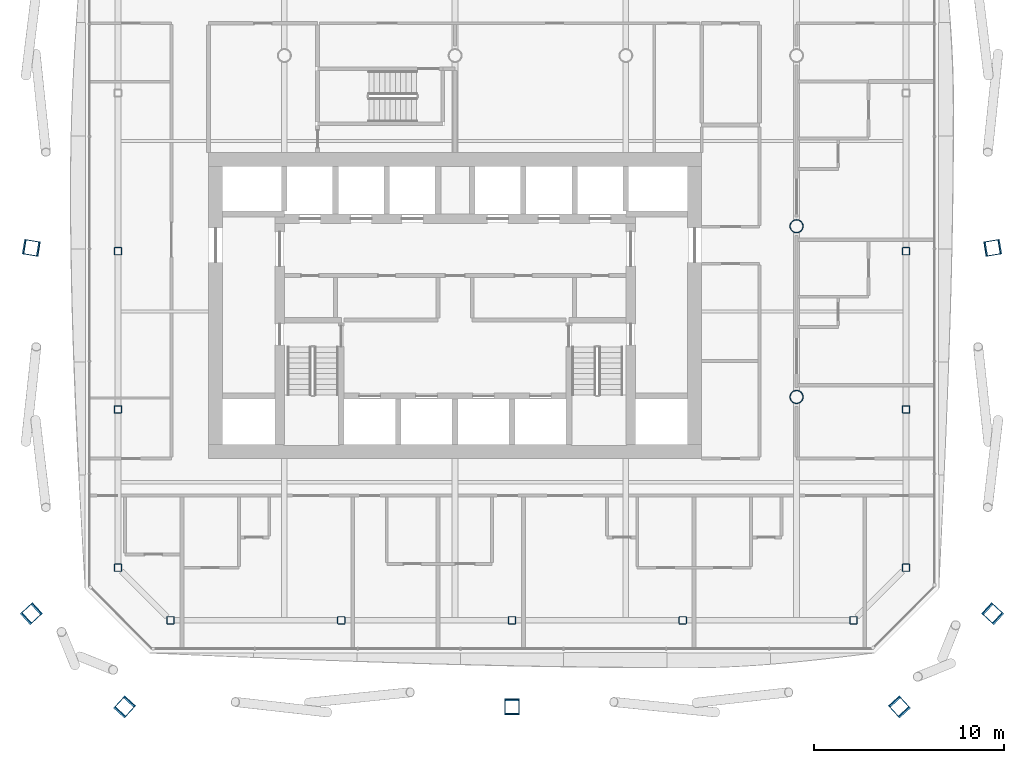
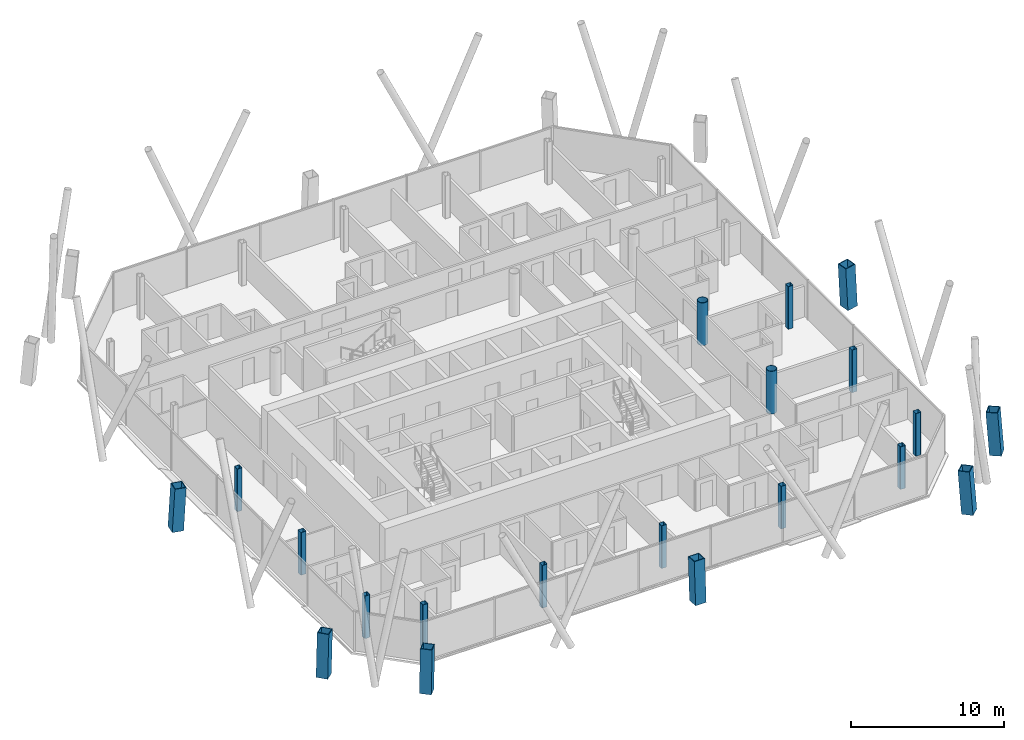
# One storey, part 1 of 23: 20 columns.
"""IFC4 building model written with IfcOpenShell, lengths in metres."""

from ifc_helpers import new_model, si_unit, direction, frame, origin, origin_2d, place, context, subcontext, project, spatial, hollow_rectangle, hollow_circle, extrude, material, material_profile, profile_set, type_object, element, save


model = new_model("IFC4")

# Units and contexts
model_context = context("Model", 3, precision=1e-05, world=origin(), true_north=direction((0.0, 1.0)))
body_context = subcontext(model_context, "Body", "Model", "MODEL_VIEW")
ifc_project = project(units=[si_unit("LENGTHUNIT", "METRE"), si_unit("AREAUNIT", "SQUARE_METRE"), si_unit("VOLUMEUNIT", "CUBIC_METRE"), si_unit("PLANEANGLEUNIT", "RADIAN"), si_unit("MASSUNIT", "GRAM", prefix="KILO")], contexts=[model_context])

# Site, building, storey
site_placement = place(None, origin())
site = spatial("IfcSite", under=ifc_project, at=site_placement, CompositionType="ELEMENT")
building_placement = place(site_placement, origin())
building = spatial("IfcBuilding", under=site, at=building_placement, Name="Tskaro Facet Tower", CompositionType="ELEMENT")
storey_placement = place(building_placement, frame((0.0, 0.0, 141.89990234375)))
storey = spatial("IfcBuildingStorey", under=building, at=storey_placement, Name="L34", CompositionType="ELEMENT", Elevation=141.89990234375)

# Columns
ifc_material_1 = material(Name="Steel S460M", Category="steel")
ifc_material_profile_1 = material_profile(ifc_material_1, hollow_rectangle(XDim=0.800048828125, YDim=0.800048828125, WallThickness=0.050048828125, at=origin_2d()), Name="BOX 800x800x50")
ifc_profile_set_1 = profile_set([ifc_material_profile_1], Name="Steel S460M")
column_type_1 = type_object("IfcColumnType", Name="BOX 800x800x50 mega column", PredefinedType="COLUMN", material=ifc_profile_set_1)
column_1_placement = place(storey_placement, frame((-17.450927734375, -25.3720703125, 0.0), z_axis=(0.048983301745, 0.053709760685, 0.99735444941), x_axis=(-0.738869281565, 0.673848784787, 0.0)))
element("IfcColumn", 1, at=column_1_placement, inside=storey, type_object=column_type_1, Name="BOX 800x800x50 MC01/3", PredefinedType="COLUMN", context=body_context, shape_type="SweptSolid", body=[
    extrude(hollow_rectangle(XDim=0.800048828125, YDim=0.800048828125, WallThickness=0.050048828125, at=origin_2d()), origin(), (0.0, 0.0, 1.0), 3.4091796875),
])
column_2_placement = place(storey_placement, frame((3.0, -25.3720703125, 0.0), z_axis=(0.0, 0.053774311498, 0.998553114973), x_axis=(-1.0, 0.0, 0.0)))
element("IfcColumn", 2, at=column_2_placement, inside=storey, type_object=column_type_1, Name="BOX 800x800x50 MC02/3", PredefinedType="COLUMN", context=body_context, shape_type="SweptSolid", body=[
    extrude(hollow_rectangle(XDim=0.800048828125, YDim=0.800048828125, WallThickness=0.050048828125, at=origin_2d()), origin(), (0.0, 0.0, 1.0), 3.405029296875),
])
for number, where, z_axis, x_axis, name in (
    (3, (23.450927734375, -25.3720703125, 0.0), (-0.048983301745, 0.053709760685, 0.99735444941), (-0.738869281565, -0.673848784787, 0.0), "BOX 800x800x50 MC03/3"),
    (4, (28.3720703125, -20.450927734375, 0.0), (-0.053709760685, 0.048983301745, 0.99735444941), (-0.673848784787, -0.738869281565, 0.0), "BOX 800x800x50 MC04/3"),
):
    element("IfcColumn", number, at=place(storey_placement, frame(where, z_axis=z_axis, x_axis=x_axis)), inside=storey, type_object=column_type_1, Name=name, PredefinedType="COLUMN", context=body_context, shape_type="SweptSolid", body=[
        extrude(hollow_rectangle(XDim=0.800048828125, YDim=0.800048828125, WallThickness=0.050048828125, at=origin_2d()), origin(), (0.0, 0.0, 1.0), 3.4091796875),
    ])
for number, where, z_axis, x_axis, name in (
    (5, (28.3720703125, -1.135986328125, 0.0), (-0.053772220484, -0.008818644159, 0.998514286237), (0.161838042552, -0.986817332632, 0.0), "BOX 800x800x50 MC05/3"),
    (6, (-22.3720703125, -1.135986328125, 0.0), (0.053772220484, -0.008818644159, 0.998514286237), (0.161838042552, 0.986817332632, 0.0), "BOX 800x800x50 MC11/3"),
):
    element("IfcColumn", number, at=place(storey_placement, frame(where, z_axis=z_axis, x_axis=x_axis)), inside=storey, type_object=column_type_1, Name=name, PredefinedType="COLUMN", context=body_context, shape_type="SweptSolid", body=[
        extrude(hollow_rectangle(XDim=0.800048828125, YDim=0.800048828125, WallThickness=0.050048828125, at=origin_2d()), origin(), (0.0, 0.0, 1.0), 3.4052734375),
    ])
column_3_placement = place(storey_placement, frame((-22.3720703125, -20.450927734375, 0.0), z_axis=(0.053709760685, 0.048983301745, 0.99735444941), x_axis=(-0.673848784787, 0.738869281565, 0.0)))
element("IfcColumn", 7, at=column_3_placement, inside=storey, type_object=column_type_1, Name="BOX 800x800x50 MC12/3", PredefinedType="COLUMN", context=body_context, shape_type="SweptSolid", body=[
    extrude(hollow_rectangle(XDim=0.800048828125, YDim=0.800048828125, WallThickness=0.050048828125, at=origin_2d()), origin(), (0.0, 0.0, 1.0), 3.4091796875),
])
ifc_material_2 = material(Name="Steel S355J2H", Category="steel")
ifc_material_profile_2 = material_profile(ifc_material_2, hollow_circle(Radius=0.35546875, WallThickness=0.031982421875, at=origin_2d()), Name="CHS 711x32")
ifc_profile_set_2 = profile_set([ifc_material_profile_2], Name="Steel S355J2H")
column_type_2 = type_object("IfcColumnType", Name="CHS 711x32 interior column", PredefinedType="COLUMN", material=ifc_profile_set_2)
for number, where, z_axis, x_axis, name in (
    (8, (18.0, -9.0, 0.0), (0.0, 0.0, 1.0), (1.0, 0.0, 0.0), "CHS 711x32 C6C/3"),
    (9, (18.0, 0.0, 0.0), (0.0, 0.0, 1.0), (1.0, 0.0, 0.0), "CHS 711x32 C6D/3"),
):
    element("IfcColumn", number, at=place(storey_placement, frame(where, z_axis=z_axis, x_axis=x_axis)), inside=storey, type_object=column_type_2, Name=name, PredefinedType="COLUMN", context=body_context, shape_type="SweptSolid", body=[
        extrude(hollow_circle(Radius=0.35546875, WallThickness=0.031982421875, at=origin_2d()), origin(), (0.0, 0.0, 1.0), 3.400146484375),
    ])
ifc_material_profile_3 = material_profile(ifc_material_2, hollow_rectangle(XDim=0.39990234375, YDim=0.39990234375, WallThickness=0.02001953125, InnerFilletRadius=0.030029296875, OuterFilletRadius=0.050048828125, at=origin_2d()), Name="SHS 400x400x20")
ifc_profile_set_3 = profile_set([ifc_material_profile_3], Name="Steel S355J2H")
column_type_3 = type_object("IfcColumnType", Name="SHS 400x400x20 ring column", PredefinedType="COLUMN", material=ifc_profile_set_3)
for number, where, z_axis, x_axis, name in (
    (10, (-14.9990234375, -20.77392578125, 0.0), (0.0, 0.0, 1.0), (1.0, 0.0, 0.0), "SHS 400x400x20 RS-1/3"),
    (11, (-6.0, -20.77392578125, 0.0), (0.0, 0.0, 1.0), (1.0, 0.0, 0.0), "SHS 400x400x20 RS-2/3"),
    (12, (3.0, -20.77392578125, 0.0), (0.0, 0.0, 1.0), (1.0, 0.0, 0.0), "SHS 400x400x20 RS-3/3"),
    (13, (12.0, -20.77392578125, 0.0), (0.0, 0.0, 1.0), (1.0, 0.0, 0.0), "SHS 400x400x20 RS-4/3"),
    (14, (20.9990234375, -20.77392578125, 0.0), (0.0, 0.0, 1.0), (1.0, 0.0, 0.0), "SHS 400x400x20 RSE-1/3"),
    (15, (23.77392578125, -17.9990234375, 0.0), (0.0, 0.0, 1.0), (1.0, 0.0, 0.0), "SHS 400x400x20 RE-1/3"),
    (16, (23.77392578125, -9.656982421875, 0.0), (0.0, 0.0, 1.0), (1.0, 0.0, 0.0), "SHS 400x400x20 RE-2/3"),
    (17, (23.77392578125, -1.31591796875, 0.0), (0.0, 0.0, 1.0), (1.0, 0.0, 0.0), "SHS 400x400x20 RE-3/3"),
    (18, (-17.77392578125, -1.31494140625, 0.0), (0.0, 0.0, 1.0), (1.0, 0.0, 0.0), "SHS 400x400x20 RW-3/3"),
    (19, (-17.77392578125, -9.656982421875, 0.0), (0.0, 0.0, 1.0), (1.0, 0.0, 0.0), "SHS 400x400x20 RW-4/3"),
    (20, (-17.77392578125, -17.9990234375, 0.0), (0.0, 0.0, 1.0), (1.0, 0.0, 0.0), "SHS 400x400x20 RSW-1/3"),
):
    element("IfcColumn", number, at=place(storey_placement, frame(where, z_axis=z_axis, x_axis=x_axis)), inside=storey, type_object=column_type_3, Name=name, PredefinedType="COLUMN", context=body_context, shape_type="SweptSolid", body=[
        extrude(hollow_rectangle(XDim=0.39990234375, YDim=0.39990234375, WallThickness=0.02001953125, InnerFilletRadius=0.030029296875, OuterFilletRadius=0.050048828125, at=origin_2d()), origin(), (0.0, 0.0, 1.0), 3.400146484375),
    ])

save(model, "model.ifc")
